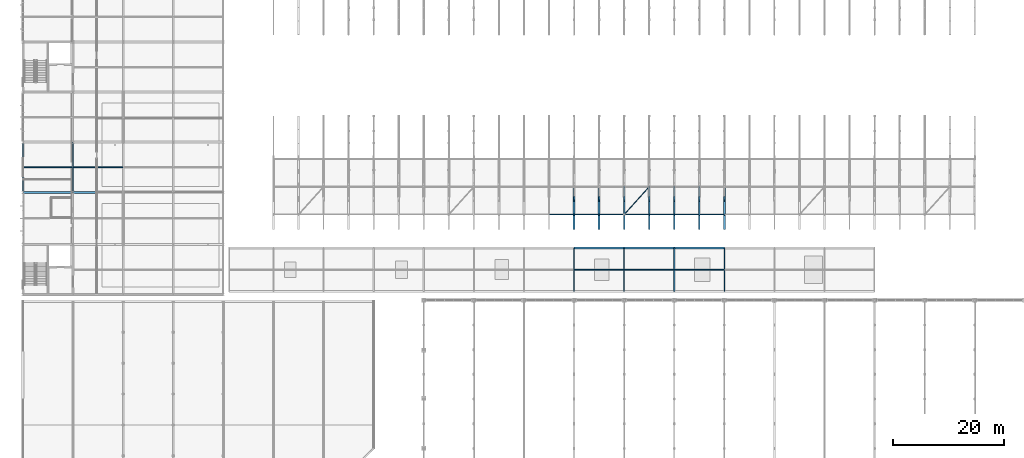
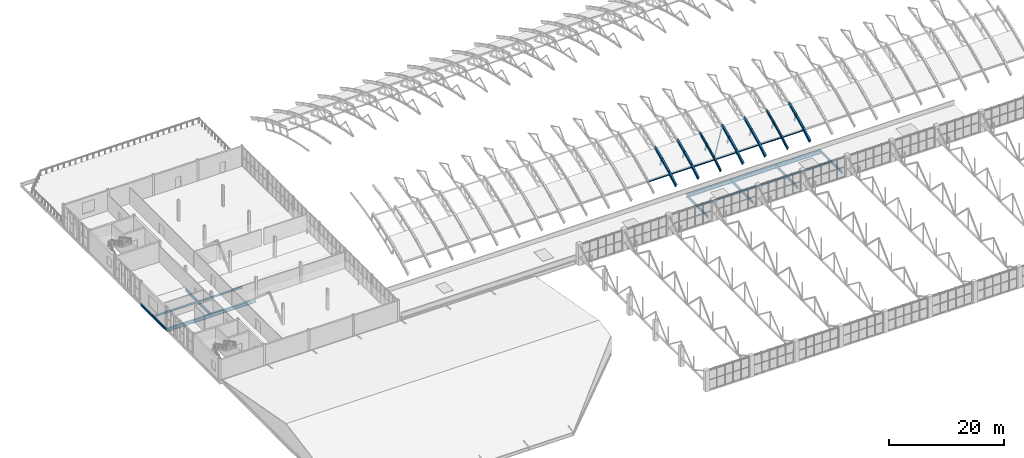
# One storey, part 26 of 103: 37 beams, 15 members.
"""IFC4 building model written with IfcOpenShell, lengths in metres."""

from ifc_helpers import new_model, si_unit, direction, frame, origin, origin_2d, place, context, subcontext, project, spatial, hollow_rectangle, hollow_circle, i_section, extrude, material, material_profile, profile_set, type_object, element, save


model = new_model("IFC4")

# Units and contexts
model_context = context("Model", 3, precision=1e-05, world=origin(), true_north=direction((0.0, 1.0)))
body_context = subcontext(model_context, "Body", "Model", "MODEL_VIEW")
ifc_project = project(units=[si_unit("LENGTHUNIT", "METRE"), si_unit("AREAUNIT", "SQUARE_METRE"), si_unit("VOLUMEUNIT", "CUBIC_METRE"), si_unit("PLANEANGLEUNIT", "RADIAN"), si_unit("MASSUNIT", "GRAM", prefix="KILO")], contexts=[model_context])

# Site, building, storey
site_placement = place(None, origin())
site = spatial("IfcSite", under=ifc_project, at=site_placement, CompositionType="ELEMENT")
building_placement = place(site_placement, origin())
building = spatial("IfcBuilding", under=site, at=building_placement, Name="Cazmaro Siding Exhibition Halls", CompositionType="ELEMENT")
storey_placement = place(building_placement, frame((0.0, 0.0, 16.5)))
storey = spatial("IfcBuildingStorey", under=building, at=storey_placement, Name="L03", CompositionType="ELEMENT", Elevation=16.5)

# Beams
ifc_material_1 = material(Name="Steel ASTM A992 Grade 50", Category="steel")
ifc_material_profile_1 = material_profile(ifc_material_1, i_section(OverallWidth=0.327880859375, OverallDepth=0.626953125, WebThickness=0.01708984375, FlangeThickness=0.028076171875, at=origin_2d()), Name="W24X146")
ifc_profile_set_1 = profile_set([ifc_material_profile_1], Name="Steel ASTM A992 Grade 50")
beam_type_1 = type_object("IfcBeamType", Name="AR-01", PredefinedType="USERDEFINED", material=ifc_profile_set_1)
beam_1_placement = place(storey_placement, frame((99.0, 66.5, -0.60693359375), z_axis=(0.0, 0.871320907359, 0.490713639916), x_axis=(-1.0, 0.0, 0.0)))
element("IfcBeam", 1, at=beam_1_placement, inside=storey, type_object=beam_type_1, Name="Space frame barrel vault arched rib AR-01 BM-0824", ObjectType="ARCHED RIB", PredefinedType="USERDEFINED", context=body_context, shape_type="SweptSolid", body=[
    extrude(i_section(OverallWidth=0.327880859375, OverallDepth=0.626953125, WebThickness=0.01708984375, FlangeThickness=0.028076171875, at=origin_2d()), origin(), (0.0, 0.0, 1.0), 2.869140625),
])
beam_2_placement = place(storey_placement, frame((99.0, 69.0, 0.801025390625), z_axis=(0.0, 0.895996638269, 0.444060833908), x_axis=(-1.0, 0.0, 0.0)))
element("IfcBeam", 2, at=beam_2_placement, inside=storey, type_object=beam_type_1, Name="Space frame barrel vault arched rib AR-01 BM-0825", ObjectType="ARCHED RIB", PredefinedType="USERDEFINED", context=body_context, shape_type="SweptSolid", body=[
    extrude(i_section(OverallWidth=0.327880859375, OverallDepth=0.626953125, WebThickness=0.01708984375, FlangeThickness=0.028076171875, at=origin_2d()), origin(), (0.0, 0.0, 1.0), 2.790283203125),
])
beam_3_placement = place(storey_placement, frame((99.0, 71.5, 2.0400390625), z_axis=(0.0, 0.917729918626, 0.397204980405), x_axis=(-1.0, 0.0, 0.0)))
element("IfcBeam", 3, at=beam_3_placement, inside=storey, type_object=beam_type_1, Name="Space frame barrel vault arched rib AR-01 BM-0826", ObjectType="ARCHED RIB", PredefinedType="USERDEFINED", context=body_context, shape_type="SweptSolid", body=[
    extrude(i_section(OverallWidth=0.327880859375, OverallDepth=0.626953125, WebThickness=0.01708984375, FlangeThickness=0.028076171875, at=origin_2d()), origin(), (0.0, 0.0, 1.0), 2.72412109375),
])
beam_4_placement = place(storey_placement, frame((112.5, 66.5, -0.60693359375), z_axis=(0.0, 0.871320907359, 0.490713639916), x_axis=(-1.0, 0.0, 0.0)))
element("IfcBeam", 4, at=beam_4_placement, inside=storey, type_object=beam_type_1, Name="Space frame barrel vault arched rib AR-01 BM-0896", ObjectType="ARCHED RIB", PredefinedType="USERDEFINED", context=body_context, shape_type="SweptSolid", body=[
    extrude(i_section(OverallWidth=0.327880859375, OverallDepth=0.626953125, WebThickness=0.01708984375, FlangeThickness=0.028076171875, at=origin_2d()), origin(), (0.0, 0.0, 1.0), 2.869140625),
])
beam_5_placement = place(storey_placement, frame((112.5, 69.0, 0.801025390625), z_axis=(0.0, 0.895996638269, 0.444060833908), x_axis=(-1.0, 0.0, 0.0)))
element("IfcBeam", 5, at=beam_5_placement, inside=storey, type_object=beam_type_1, Name="Space frame barrel vault arched rib AR-01 BM-0897", ObjectType="ARCHED RIB", PredefinedType="USERDEFINED", context=body_context, shape_type="SweptSolid", body=[
    extrude(i_section(OverallWidth=0.327880859375, OverallDepth=0.626953125, WebThickness=0.01708984375, FlangeThickness=0.028076171875, at=origin_2d()), origin(), (0.0, 0.0, 1.0), 2.790283203125),
])
beam_6_placement = place(storey_placement, frame((112.5, 71.5, 2.0400390625), z_axis=(0.0, 0.917729918626, 0.397204980405), x_axis=(-1.0, 0.0, 0.0)))
element("IfcBeam", 6, at=beam_6_placement, inside=storey, type_object=beam_type_1, Name="Space frame barrel vault arched rib AR-01 BM-0898", ObjectType="ARCHED RIB", PredefinedType="USERDEFINED", context=body_context, shape_type="SweptSolid", body=[
    extrude(i_section(OverallWidth=0.327880859375, OverallDepth=0.626953125, WebThickness=0.01708984375, FlangeThickness=0.028076171875, at=origin_2d()), origin(), (0.0, 0.0, 1.0), 2.72412109375),
])
beam_7_placement = place(storey_placement, frame((126.0, 66.5, -0.60693359375), z_axis=(0.0, 0.871320907359, 0.490713639916), x_axis=(-1.0, 0.0, 0.0)))
element("IfcBeam", 7, at=beam_7_placement, inside=storey, type_object=beam_type_1, Name="Space frame barrel vault arched rib AR-01 BM-0968", ObjectType="ARCHED RIB", PredefinedType="USERDEFINED", context=body_context, shape_type="SweptSolid", body=[
    extrude(i_section(OverallWidth=0.327880859375, OverallDepth=0.626953125, WebThickness=0.01708984375, FlangeThickness=0.028076171875, at=origin_2d()), origin(), (0.0, 0.0, 1.0), 2.869140625),
])
beam_8_placement = place(storey_placement, frame((126.0, 69.0, 0.801025390625), z_axis=(0.0, 0.895996638269, 0.444060833908), x_axis=(-1.0, 0.0, 0.0)))
element("IfcBeam", 8, at=beam_8_placement, inside=storey, type_object=beam_type_1, Name="Space frame barrel vault arched rib AR-01 BM-0969", ObjectType="ARCHED RIB", PredefinedType="USERDEFINED", context=body_context, shape_type="SweptSolid", body=[
    extrude(i_section(OverallWidth=0.327880859375, OverallDepth=0.626953125, WebThickness=0.01708984375, FlangeThickness=0.028076171875, at=origin_2d()), origin(), (0.0, 0.0, 1.0), 2.790283203125),
])
beam_9_placement = place(storey_placement, frame((126.0, 71.5, 2.0400390625), z_axis=(0.0, 0.917729918626, 0.397204980405), x_axis=(-1.0, 0.0, 0.0)))
element("IfcBeam", 9, at=beam_9_placement, inside=storey, type_object=beam_type_1, Name="Space frame barrel vault arched rib AR-01 BM-0970", ObjectType="ARCHED RIB", PredefinedType="USERDEFINED", context=body_context, shape_type="SweptSolid", body=[
    extrude(i_section(OverallWidth=0.327880859375, OverallDepth=0.626953125, WebThickness=0.01708984375, FlangeThickness=0.028076171875, at=origin_2d()), origin(), (0.0, 0.0, 1.0), 2.72412109375),
])
ifc_material_2 = material(Name="Steel ASTM A992 Grade 50", Category="steel")
ifc_material_profile_2 = material_profile(ifc_material_2, i_section(OverallWidth=0.324951171875, OverallDepth=0.612060546875, WebThickness=0.012939453125, FlangeThickness=0.01904296875, at=origin_2d()), Name="W24X104")
ifc_profile_set_2 = profile_set([ifc_material_profile_2], Name="Steel ASTM A992 Grade 50")
beam_type_2 = type_object("IfcBeamType", Name="AR-02", PredefinedType="USERDEFINED", material=ifc_profile_set_2)
beam_10_placement = place(storey_placement, frame((103.5, 66.5, -0.60693359375), z_axis=(0.0, 0.871320907359, 0.490713639916), x_axis=(-1.0, 0.0, 0.0)))
element("IfcBeam", 10, at=beam_10_placement, inside=storey, type_object=beam_type_2, Name="Space frame barrel vault arched rib AR-02 BM-0848", ObjectType="ARCHED RIB", PredefinedType="USERDEFINED", context=body_context, shape_type="SweptSolid", body=[
    extrude(i_section(OverallWidth=0.324951171875, OverallDepth=0.612060546875, WebThickness=0.012939453125, FlangeThickness=0.01904296875, at=origin_2d()), origin(), (0.0, 0.0, 1.0), 2.869140625),
])
beam_11_placement = place(storey_placement, frame((103.5, 69.0, 0.801025390625), z_axis=(0.0, 0.895996638269, 0.444060833908), x_axis=(-1.0, 0.0, 0.0)))
element("IfcBeam", 11, at=beam_11_placement, inside=storey, type_object=beam_type_2, Name="Space frame barrel vault arched rib AR-02 BM-0849", ObjectType="ARCHED RIB", PredefinedType="USERDEFINED", context=body_context, shape_type="SweptSolid", body=[
    extrude(i_section(OverallWidth=0.324951171875, OverallDepth=0.612060546875, WebThickness=0.012939453125, FlangeThickness=0.01904296875, at=origin_2d()), origin(), (0.0, 0.0, 1.0), 2.790283203125),
])
beam_12_placement = place(storey_placement, frame((103.5, 71.5, 2.0400390625), z_axis=(0.0, 0.917729918626, 0.397204980405), x_axis=(-1.0, 0.0, 0.0)))
element("IfcBeam", 12, at=beam_12_placement, inside=storey, type_object=beam_type_2, Name="Space frame barrel vault arched rib AR-02 BM-0850", ObjectType="ARCHED RIB", PredefinedType="USERDEFINED", context=body_context, shape_type="SweptSolid", body=[
    extrude(i_section(OverallWidth=0.324951171875, OverallDepth=0.612060546875, WebThickness=0.012939453125, FlangeThickness=0.01904296875, at=origin_2d()), origin(), (0.0, 0.0, 1.0), 2.72412109375),
])
beam_13_placement = place(storey_placement, frame((117.0, 66.5, -0.60693359375), z_axis=(0.0, 0.871320907359, 0.490713639916), x_axis=(-1.0, 0.0, 0.0)))
element("IfcBeam", 13, at=beam_13_placement, inside=storey, type_object=beam_type_2, Name="Space frame barrel vault arched rib AR-02 BM-0920", ObjectType="ARCHED RIB", PredefinedType="USERDEFINED", context=body_context, shape_type="SweptSolid", body=[
    extrude(i_section(OverallWidth=0.324951171875, OverallDepth=0.612060546875, WebThickness=0.012939453125, FlangeThickness=0.01904296875, at=origin_2d()), origin(), (0.0, 0.0, 1.0), 2.869140625),
])
beam_14_placement = place(storey_placement, frame((117.0, 69.0, 0.801025390625), z_axis=(0.0, 0.895996638269, 0.444060833908), x_axis=(-1.0, 0.0, 0.0)))
element("IfcBeam", 14, at=beam_14_placement, inside=storey, type_object=beam_type_2, Name="Space frame barrel vault arched rib AR-02 BM-0921", ObjectType="ARCHED RIB", PredefinedType="USERDEFINED", context=body_context, shape_type="SweptSolid", body=[
    extrude(i_section(OverallWidth=0.324951171875, OverallDepth=0.612060546875, WebThickness=0.012939453125, FlangeThickness=0.01904296875, at=origin_2d()), origin(), (0.0, 0.0, 1.0), 2.790283203125),
])
beam_15_placement = place(storey_placement, frame((117.0, 71.5, 2.0400390625), z_axis=(0.0, 0.917729918626, 0.397204980405), x_axis=(-1.0, 0.0, 0.0)))
element("IfcBeam", 15, at=beam_15_placement, inside=storey, type_object=beam_type_2, Name="Space frame barrel vault arched rib AR-02 BM-0922", ObjectType="ARCHED RIB", PredefinedType="USERDEFINED", context=body_context, shape_type="SweptSolid", body=[
    extrude(i_section(OverallWidth=0.324951171875, OverallDepth=0.612060546875, WebThickness=0.012939453125, FlangeThickness=0.01904296875, at=origin_2d()), origin(), (0.0, 0.0, 1.0), 2.72412109375),
])
ifc_material_3 = material(Name="Steel ASTM A992 Grade 50", Category="steel")
ifc_material_profile_3 = material_profile(ifc_material_3, i_section(OverallWidth=0.22900390625, OverallDepth=0.612060546875, WebThickness=0.011962890625, FlangeThickness=0.02001953125, at=origin_2d()), Name="W24X84")
ifc_profile_set_3 = profile_set([ifc_material_profile_3], Name="Steel ASTM A992 Grade 50")
beam_type_3 = type_object("IfcBeamType", Name="AR-03", PredefinedType="USERDEFINED", material=ifc_profile_set_3)
beam_16_placement = place(storey_placement, frame((108.0, 66.5, -0.60693359375), z_axis=(0.0, 0.871320907359, 0.490713639916), x_axis=(-1.0, 0.0, 0.0)))
element("IfcBeam", 16, at=beam_16_placement, inside=storey, type_object=beam_type_3, Name="Space frame barrel vault arched rib AR-03 BM-0872", ObjectType="ARCHED RIB", PredefinedType="USERDEFINED", context=body_context, shape_type="SweptSolid", body=[
    extrude(i_section(OverallWidth=0.22900390625, OverallDepth=0.612060546875, WebThickness=0.011962890625, FlangeThickness=0.02001953125, at=origin_2d()), origin(), (0.0, 0.0, 1.0), 2.869140625),
])
beam_17_placement = place(storey_placement, frame((108.0, 69.0, 0.801025390625), z_axis=(0.0, 0.895996638269, 0.444060833908), x_axis=(-1.0, 0.0, 0.0)))
element("IfcBeam", 17, at=beam_17_placement, inside=storey, type_object=beam_type_3, Name="Space frame barrel vault arched rib AR-03 BM-0873", ObjectType="ARCHED RIB", PredefinedType="USERDEFINED", context=body_context, shape_type="SweptSolid", body=[
    extrude(i_section(OverallWidth=0.22900390625, OverallDepth=0.612060546875, WebThickness=0.011962890625, FlangeThickness=0.02001953125, at=origin_2d()), origin(), (0.0, 0.0, 1.0), 2.790283203125),
])
beam_18_placement = place(storey_placement, frame((108.0, 71.5, 2.0400390625), z_axis=(0.0, 0.917729918626, 0.397204980405), x_axis=(-1.0, 0.0, 0.0)))
element("IfcBeam", 18, at=beam_18_placement, inside=storey, type_object=beam_type_3, Name="Space frame barrel vault arched rib AR-03 BM-0874", ObjectType="ARCHED RIB", PredefinedType="USERDEFINED", context=body_context, shape_type="SweptSolid", body=[
    extrude(i_section(OverallWidth=0.22900390625, OverallDepth=0.612060546875, WebThickness=0.011962890625, FlangeThickness=0.02001953125, at=origin_2d()), origin(), (0.0, 0.0, 1.0), 2.72412109375),
])
beam_19_placement = place(storey_placement, frame((121.5, 66.5, -0.60693359375), z_axis=(0.0, 0.871320907359, 0.490713639916), x_axis=(-1.0, 0.0, 0.0)))
element("IfcBeam", 19, at=beam_19_placement, inside=storey, type_object=beam_type_3, Name="Space frame barrel vault arched rib AR-03 BM-0944", ObjectType="ARCHED RIB", PredefinedType="USERDEFINED", context=body_context, shape_type="SweptSolid", body=[
    extrude(i_section(OverallWidth=0.22900390625, OverallDepth=0.612060546875, WebThickness=0.011962890625, FlangeThickness=0.02001953125, at=origin_2d()), origin(), (0.0, 0.0, 1.0), 2.869140625),
])
beam_20_placement = place(storey_placement, frame((121.5, 69.0, 0.801025390625), z_axis=(0.0, 0.895996638269, 0.444060833908), x_axis=(-1.0, 0.0, 0.0)))
element("IfcBeam", 20, at=beam_20_placement, inside=storey, type_object=beam_type_3, Name="Space frame barrel vault arched rib AR-03 BM-0945", ObjectType="ARCHED RIB", PredefinedType="USERDEFINED", context=body_context, shape_type="SweptSolid", body=[
    extrude(i_section(OverallWidth=0.22900390625, OverallDepth=0.612060546875, WebThickness=0.011962890625, FlangeThickness=0.02001953125, at=origin_2d()), origin(), (0.0, 0.0, 1.0), 2.790283203125),
])
beam_21_placement = place(storey_placement, frame((121.5, 71.5, 2.0400390625), z_axis=(0.0, 0.917729918626, 0.397204980405), x_axis=(-1.0, 0.0, 0.0)))
element("IfcBeam", 21, at=beam_21_placement, inside=storey, type_object=beam_type_3, Name="Space frame barrel vault arched rib AR-03 BM-0946", ObjectType="ARCHED RIB", PredefinedType="USERDEFINED", context=body_context, shape_type="SweptSolid", body=[
    extrude(i_section(OverallWidth=0.22900390625, OverallDepth=0.612060546875, WebThickness=0.011962890625, FlangeThickness=0.02001953125, at=origin_2d()), origin(), (0.0, 0.0, 1.0), 2.72412109375),
])
ifc_material_4 = material(Name="Steel ASTM A992 Grade 50", Category="steel")
ifc_material_profile_4 = material_profile(ifc_material_4, i_section(OverallWidth=0.214111328125, OverallDepth=0.549072265625, WebThickness=0.014892578125, FlangeThickness=0.02392578125, at=origin_2d()), Name="W21X93")
ifc_profile_set_4 = profile_set([ifc_material_profile_4], Name="Steel ASTM A992 Grade 50")
beam_type_4 = type_object("IfcBeamType", Name="B-01", PredefinedType="BEAM", material=ifc_profile_set_4)
for number, where, z_axis, x_axis, name in (
    (22, (0.0, 73.0, -0.493896484375), (0.0, 1.0, 0.0), (-1.0, 0.0, 0.0), "Beam B-01 BM-2240"),
    (23, (9.0, 73.0, -0.493896484375), (0.0, 1.0, 0.0), (-1.0, 0.0, 0.0), "Beam B-01 BM-2248"),
):
    element("IfcBeam", number, at=place(storey_placement, frame(where, z_axis=z_axis, x_axis=x_axis)), inside=storey, type_object=beam_type_4, Name=name, PredefinedType="BEAM", context=body_context, shape_type="SweptSolid", body=[
        extrude(i_section(OverallWidth=0.214111328125, OverallDepth=0.549072265625, WebThickness=0.014892578125, FlangeThickness=0.02392578125, at=origin_2d()), origin(), (0.0, 0.0, 1.0), 9.0),
    ])
ifc_material_5 = material(Name="Steel ASTM A992 Grade 50", Category="steel")
ifc_material_profile_5 = material_profile(ifc_material_5, i_section(OverallWidth=0.2099609375, OverallDepth=0.535888671875, WebThickness=0.010986328125, FlangeThickness=0.01708984375, at=origin_2d()), Name="W21X68")
ifc_profile_set_5 = profile_set([ifc_material_profile_5], Name="Steel ASTM A992 Grade 50")
beam_type_5 = type_object("IfcBeamType", Name="B-02", PredefinedType="BEAM", material=ifc_profile_set_5)
for number, where, z_axis, x_axis, name in (
    (24, (99.0, 55.199951171875, -0.443115234375), (0.0, 1.0, 0.0), (-1.0, 0.0, 0.0), "Beam B-02 BM-1707"),
    (25, (108.0, 55.199951171875, -0.443115234375), (0.0, 1.0, 0.0), (-1.0, 0.0, 0.0), "Beam B-02 BM-1710"),
    (26, (117.0, 55.199951171875, -0.443115234375), (0.0, 1.0, 0.0), (-1.0, 0.0, 0.0), "Beam B-02 BM-1713"),
    (27, (126.0, 55.199951171875, -0.443115234375), (0.0, 1.0, 0.0), (-1.0, 0.0, 0.0), "Beam B-02 BM-1716"),
):
    element("IfcBeam", number, at=place(storey_placement, frame(where, z_axis=z_axis, x_axis=x_axis)), inside=storey, type_object=beam_type_5, Name=name, PredefinedType="BEAM", context=body_context, shape_type="SweptSolid", body=[
        extrude(i_section(OverallWidth=0.2099609375, OverallDepth=0.535888671875, WebThickness=0.010986328125, FlangeThickness=0.01708984375, at=origin_2d()), origin(), (0.0, 0.0, 1.0), 7.800048828125),
    ])
ifc_material_6 = material(Name="Steel ASTM A992 Grade 50", Category="steel")
ifc_material_profile_6 = material_profile(ifc_material_6, i_section(OverallWidth=0.381103515625, OverallDepth=0.779052734375, WebThickness=0.01806640625, FlangeThickness=0.030029296875, at=origin_2d()), Name="W30X191")
ifc_profile_set_6 = profile_set([ifc_material_profile_6], Name="Steel ASTM A992 Grade 50")
beam_type_6 = type_object("IfcBeamType", Name="G-04", PredefinedType="USERDEFINED", material=ifc_profile_set_6)
for number, where, z_axis, x_axis, name in (
    (28, (99.0, 63.0, -0.56494140625), (1.0, 0.0, 0.0), (0.0, 1.0, 0.0), "Beam G-04 BM-1633"),
    (29, (108.0, 63.0, -0.56494140625), (1.0, 0.0, 0.0), (0.0, 1.0, 0.0), "Beam G-04 BM-1642"),
    (30, (117.0, 63.0, -0.56494140625), (1.0, 0.0, 0.0), (0.0, 1.0, 0.0), "Beam G-04 BM-1651"),
):
    element("IfcBeam", number, at=place(storey_placement, frame(where, z_axis=z_axis, x_axis=x_axis)), inside=storey, type_object=beam_type_6, Name=name, ObjectType="GIRDER", PredefinedType="USERDEFINED", context=body_context, shape_type="SweptSolid", body=[
        extrude(i_section(OverallWidth=0.381103515625, OverallDepth=0.779052734375, WebThickness=0.01806640625, FlangeThickness=0.030029296875, at=origin_2d()), origin(), (0.0, 0.0, 1.0), 9.0),
    ])
ifc_material_7 = material(Name="Steel ASTM A992 Grade 50", Category="steel")
ifc_material_profile_7 = material_profile(ifc_material_7, i_section(OverallWidth=0.35595703125, OverallDepth=0.696044921875, WebThickness=0.014892578125, FlangeThickness=0.02490234375, at=origin_2d()), Name="W27X146")
ifc_profile_set_7 = profile_set([ifc_material_profile_7], Name="Steel ASTM A992 Grade 50")
beam_type_7 = type_object("IfcBeamType", Name="G-05", PredefinedType="USERDEFINED", material=ifc_profile_set_7)
for number, where, z_axis, x_axis, name in (
    (31, (0.0, 73.0, -0.568115234375), (1.0, 0.0, 0.0), (0.0, 1.0, 0.0), "Beam G-05 BM-2174"),
    (32, (9.0, 73.0, -0.568115234375), (1.0, 0.0, 0.0), (0.0, 1.0, 0.0), "Beam G-05 BM-2189"),
):
    element("IfcBeam", number, at=place(storey_placement, frame(where, z_axis=z_axis, x_axis=x_axis)), inside=storey, type_object=beam_type_7, Name=name, ObjectType="GIRDER", PredefinedType="USERDEFINED", context=body_context, shape_type="SweptSolid", body=[
        extrude(i_section(OverallWidth=0.35595703125, OverallDepth=0.696044921875, WebThickness=0.014892578125, FlangeThickness=0.02490234375, at=origin_2d()), origin(), (0.0, 0.0, 1.0), 9.0),
    ])
ifc_material_8 = material(Name="Steel ASTM A992 Grade 50", Category="steel")
ifc_material_profile_8 = material_profile(ifc_material_8, i_section(OverallWidth=0.177978515625, OverallDepth=0.406005859375, WebThickness=0.008056640625, FlangeThickness=0.012939453125, at=origin_2d()), Name="W16X40")
ifc_profile_set_8 = profile_set([ifc_material_profile_8], Name="Steel ASTM A992 Grade 50")
beam_type_8 = type_object("IfcBeamType", Name="J-02", PredefinedType="JOIST", material=ifc_profile_set_8)
for number, where, z_axis, x_axis, name in (
    (33, (99.10498046875, 59.10009765625, -0.3779296875), (1.0, 0.0, 0.0), (0.0, 1.0, 0.0), "Beam J-02 BM-1634"),
    (34, (108.10498046875, 59.10009765625, -0.3779296875), (1.0, 0.0, 0.0), (0.0, 1.0, 0.0), "Beam J-02 BM-1643"),
    (35, (117.10498046875, 59.10009765625, -0.3779296875), (1.0, 0.0, 0.0), (0.0, 1.0, 0.0), "Beam J-02 BM-1652"),
):
    element("IfcBeam", number, at=place(storey_placement, frame(where, z_axis=z_axis, x_axis=x_axis)), inside=storey, type_object=beam_type_8, Name=name, PredefinedType="JOIST", context=body_context, shape_type="SweptSolid", body=[
        extrude(i_section(OverallWidth=0.177978515625, OverallDepth=0.406005859375, WebThickness=0.008056640625, FlangeThickness=0.012939453125, at=origin_2d()), origin(), (0.0, 0.0, 1.0), 8.7900390625),
    ])
for number, where, z_axis, x_axis, name in (
    (36, (0.10693359375, 77.5, -0.423095703125), (1.0, 0.0, 0.0), (0.0, 1.0, 0.0), "Beam J-02 BM-2182"),
    (37, (9.10693359375, 77.5, -0.423095703125), (1.0, 0.0, 0.0), (0.0, 1.0, 0.0), "Beam J-02 BM-2198"),
):
    element("IfcBeam", number, at=place(storey_placement, frame(where, z_axis=z_axis, x_axis=x_axis)), inside=storey, type_object=beam_type_8, Name=name, PredefinedType="JOIST", context=body_context, shape_type="SweptSolid", body=[
        extrude(i_section(OverallWidth=0.177978515625, OverallDepth=0.406005859375, WebThickness=0.008056640625, FlangeThickness=0.012939453125, at=origin_2d()), origin(), (0.0, 0.0, 1.0), 8.7861328125),
    ])

# Members
ifc_material_9 = material(Name="Steel ASTM A500 Grade C", Category="steel")
ifc_material_profile_9 = material_profile(ifc_material_9, hollow_rectangle(XDim=0.152099609375, YDim=0.202880859375, WallThickness=0.011962890625, at=origin_2d()), Name="HSS8X6X1/2")
ifc_profile_set_9 = profile_set([ifc_material_profile_9], Name="Steel ASTM A500 Grade C")
member_type_1 = type_object("IfcMemberType", Name="RP-01", PredefinedType="PURLIN", material=ifc_profile_set_9)
for number, where, z_axis, x_axis, name in (
    (38, (94.5, 69.0, 0.260986328125), (1.0, 0.0, 0.0), (0.0, 1.0, 0.0), "Space frame barrel vault purlin RP-01 MEM-2097"),
    (39, (99.0, 69.0, 0.260986328125), (1.0, 0.0, 0.0), (0.0, 1.0, 0.0), "Space frame barrel vault purlin RP-01 MEM-2108"),
    (40, (103.5, 69.0, 0.260986328125), (1.0, 0.0, 0.0), (0.0, 1.0, 0.0), "Space frame barrel vault purlin RP-01 MEM-2119"),
    (41, (108.0, 69.0, 0.260986328125), (1.0, 0.0, 0.0), (0.0, 1.0, 0.0), "Space frame barrel vault purlin RP-01 MEM-2130"),
    (42, (112.5, 69.0, 0.260986328125), (1.0, 0.0, 0.0), (0.0, 1.0, 0.0), "Space frame barrel vault purlin RP-01 MEM-2147"),
    (43, (117.0, 69.0, 0.260986328125), (1.0, 0.0, 0.0), (0.0, 1.0, 0.0), "Space frame barrel vault purlin RP-01 MEM-2158"),
    (44, (121.5, 69.0, 0.260986328125), (1.0, 0.0, 0.0), (0.0, 1.0, 0.0), "Space frame barrel vault purlin RP-01 MEM-2169"),
):
    element("IfcMember", number, at=place(storey_placement, frame(where, z_axis=z_axis, x_axis=x_axis)), inside=storey, type_object=member_type_1, Name=name, PredefinedType="PURLIN", context=body_context, shape_type="SweptSolid", body=[
        extrude(hollow_rectangle(XDim=0.152099609375, YDim=0.202880859375, WallThickness=0.011962890625, at=origin_2d()), origin(), (0.0, 0.0, 1.0), 4.5),
    ])
ifc_material_10 = material(Name="Steel ASTM A992 Grade 50", Category="steel")
ifc_material_profile_10 = material_profile(ifc_material_10, i_section(OverallWidth=0.25390625, OverallDepth=0.25390625, WebThickness=0.009033203125, FlangeThickness=0.013916015625, at=origin_2d()), Name="W10X49")
ifc_profile_set_10 = profile_set([ifc_material_profile_10], Name="Steel ASTM A992 Grade 50")
member_type_2 = type_object("IfcMemberType", Name="TP-04", PredefinedType="POST", material=ifc_profile_set_10)
for number, where, z_axis, x_axis, name in (
    (45, (99.0, 72.131103515625, 0.37890625), (0.0, -0.355155331276, 0.934807301355), (1.0, 0.0, 0.0), "Space frame barrel vault post TP-04 MEM-0855"),
    (46, (103.5, 72.131103515625, 0.37890625), (0.0, -0.355155331276, 0.934807301355), (1.0, 0.0, 0.0), "Space frame barrel vault post TP-04 MEM-0926"),
    (47, (108.0, 72.131103515625, 0.37890625), (0.0, -0.355155331276, 0.934807301355), (1.0, 0.0, 0.0), "Space frame barrel vault post TP-04 MEM-0997"),
    (48, (112.5, 72.131103515625, 0.37890625), (0.0, -0.355155331276, 0.934807301355), (1.0, 0.0, 0.0), "Space frame barrel vault post TP-04 MEM-1068"),
    (49, (117.0, 72.131103515625, 0.37890625), (0.0, -0.355155331276, 0.934807301355), (1.0, 0.0, 0.0), "Space frame barrel vault post TP-04 MEM-1139"),
    (50, (121.5, 72.131103515625, 0.37890625), (0.0, -0.355155331276, 0.934807301355), (1.0, 0.0, 0.0), "Space frame barrel vault post TP-04 MEM-1210"),
    (51, (126.0, 72.131103515625, 0.37890625), (0.0, -0.355155331276, 0.934807301355), (1.0, 0.0, 0.0), "Space frame barrel vault post TP-04 MEM-1281"),
):
    element("IfcMember", number, at=place(storey_placement, frame(where, z_axis=z_axis, x_axis=x_axis)), inside=storey, type_object=member_type_2, Name=name, PredefinedType="POST", context=body_context, shape_type="SweptSolid", body=[
        extrude(i_section(OverallWidth=0.25390625, OverallDepth=0.25390625, WebThickness=0.009033203125, FlangeThickness=0.013916015625, at=origin_2d()), origin(), (0.0, 0.0, 1.0), 1.777099609375),
    ])
ifc_material_11 = material(Name="Steel ASTM A500 Grade C", Category="steel")
ifc_material_profile_11 = material_profile(ifc_material_11, hollow_circle(Radius=0.083984375, WallThickness=0.01806640625, at=origin_2d()), Name="PIPE6XXS")
ifc_profile_set_11 = profile_set([ifc_material_profile_11], Name="Steel ASTM A500 Grade C")
member_type_3 = type_object("IfcMemberType", Name="WB-05", PredefinedType="BRACE", material=ifc_profile_set_11)
member_placement = place(storey_placement, frame((108.0, 69.0, 0.260986328125), z_axis=(0.632379029545, 0.702643366161, 0.326173363384), x_axis=(-0.743294146247, 0.668964731622, 0.0)))
element("IfcMember", 52, at=member_placement, inside=storey, type_object=member_type_3, Name="Space frame barrel vault wind brace WB-05 MEM-2141", PredefinedType="BRACE", context=body_context, shape_type="SweptSolid", body=[
    extrude(hollow_circle(Radius=0.083984375, WallThickness=0.01806640625, at=origin_2d()), origin(), (0.0, 0.0, 1.0), 7.115966796875),
])

save(model, "model.ifc")
